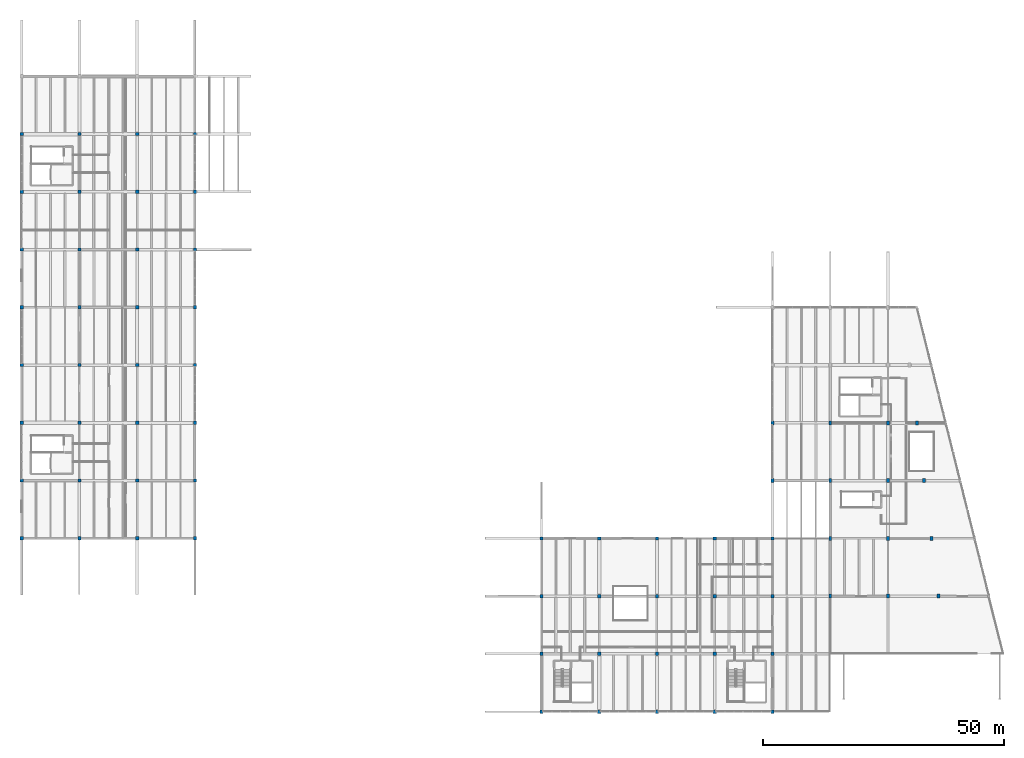
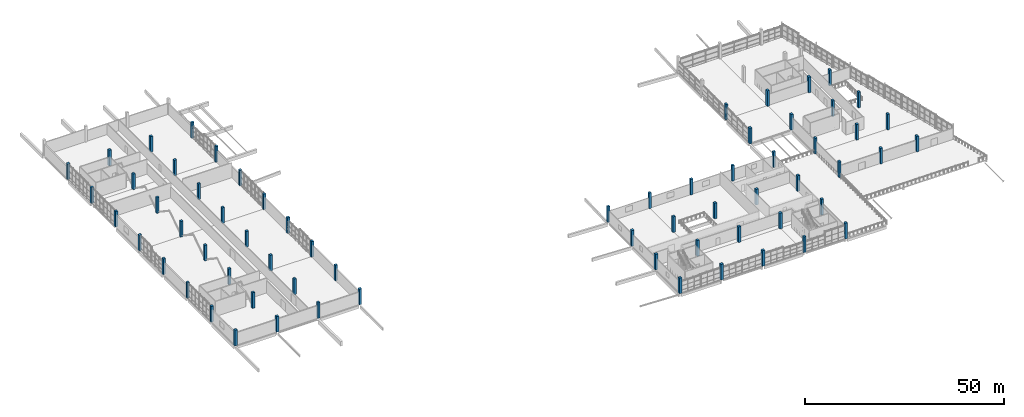
# One storey, part 1 of 49: 66 columns.
"""IFC4 building model written with IfcOpenShell, lengths in metres."""

from ifc_helpers import new_model, si_unit, direction, frame, origin, origin_2d, place, context, subcontext, project, spatial, rectangle, extrude, material, material_profile, profile_set, type_object, element, save


model = new_model("IFC4")

# Units and contexts
model_context = context("Model", 3, precision=1e-05, world=origin(), true_north=direction((0.0, 1.0)))
body_context = subcontext(model_context, "Body", "Model", "MODEL_VIEW")
ifc_project = project(units=[si_unit("LENGTHUNIT", "METRE"), si_unit("AREAUNIT", "SQUARE_METRE"), si_unit("VOLUMEUNIT", "CUBIC_METRE"), si_unit("PLANEANGLEUNIT", "RADIAN"), si_unit("MASSUNIT", "GRAM", prefix="KILO")], contexts=[model_context])

# Site, building, storey
site_placement = place(None, origin())
site = spatial("IfcSite", under=ifc_project, at=site_placement, CompositionType="ELEMENT")
building_placement = place(site_placement, origin())
building = spatial("IfcBuilding", under=site, at=building_placement, Name="Kamomehara Wholesale Market", CompositionType="ELEMENT")
storey_placement = place(building_placement, frame((0.0, 0.0, 11.39990234375)))
storey = spatial("IfcBuildingStorey", under=building, at=storey_placement, Name="L02", CompositionType="ELEMENT", Elevation=11.39990234375)

# Columns
ifc_material_1 = material(Name="Precast concrete Fc45 (C40/50)", Category="concrete")
ifc_material_profile_1 = material_profile(ifc_material_1, rectangle(XDim=0.64990234375, YDim=0.64990234375, at=origin_2d()), Name="PC-COL-650x650")
ifc_profile_set_1 = profile_set([ifc_material_profile_1], Name="Precast concrete Fc45 (C40/50)")
column_type_1 = type_object("IfcColumnType", Name="COL-PC650-EXT", PredefinedType="COLUMN", material=ifc_profile_set_1)
for number, where, z_axis, x_axis, name in (
    (1, (108.0, 48.0, 0.0), (0.0, 0.0, 1.0), (1.0, 0.0, 0.0), "Column C-06E L02"),
    (2, (120.0, 48.0, 0.0), (0.0, 0.0, 1.0), (1.0, 0.0, 0.0), "Column C-06E L02"),
    (3, (132.0, 48.0, 0.0), (0.0, 0.0, 1.0), (1.0, 0.0, 0.0), "Column C-06E L02"),
    (4, (144.0, 48.0, 0.0), (0.0, 0.0, 1.0), (1.0, 0.0, 0.0), "Column C-06E L02"),
    (5, (156.0, 48.0, 0.0), (0.0, 0.0, 1.0), (1.0, 0.0, 0.0), "Column C-06E L02"),
):
    element("IfcColumn", number, at=place(storey_placement, frame(where, z_axis=z_axis, x_axis=x_axis)), inside=storey, type_object=column_type_1, Name=name, PredefinedType="COLUMN", context=body_context, shape_type="SweptSolid", body=[
        extrude(rectangle(XDim=0.64990234375, YDim=0.64990234375, at=origin_2d()), origin(), (0.0, 0.0, 1.0), 4.800048828125),
    ])
ifc_material_2 = material(Name="Precast concrete Fc45 (C40/50)", Category="concrete")
ifc_material_profile_2 = material_profile(ifc_material_2, rectangle(XDim=0.679931640625, YDim=0.679931640625, at=origin_2d()), Name="PC-COL-680x680")
ifc_profile_set_2 = profile_set([ifc_material_profile_2], Name="Precast concrete Fc45 (C40/50)")
column_type_2 = type_object("IfcColumnType", Name="COL-PC680", PredefinedType="COLUMN", material=ifc_profile_set_2)
for number, where, z_axis, x_axis, name in (
    (6, (12.0, 72.0, 0.0), (0.0, 0.0, 1.0), (1.0, 0.0, 0.0), "Column C-15 L02"),
    (7, (12.0, 84.0, 0.0), (0.0, 0.0, 1.0), (1.0, 0.0, 0.0), "Column C-15 L02"),
    (8, (12.0, 120.0, 0.0), (0.0, 0.0, 1.0), (1.0, 0.0, 0.0), "Column C-15 L02"),
    (9, (12.0, 132.0, 0.0), (0.0, 0.0, 1.0), (1.0, 0.0, 0.0), "Column C-15 L02"),
    (10, (24.0, 72.0, 0.0), (0.0, 0.0, 1.0), (1.0, 0.0, 0.0), "Column C-15 L02"),
    (11, (24.0, 84.0, 0.0), (0.0, 0.0, 1.0), (1.0, 0.0, 0.0), "Column C-15 L02"),
    (12, (24.0, 120.0, 0.0), (0.0, 0.0, 1.0), (1.0, 0.0, 0.0), "Column C-15 L02"),
    (13, (24.0, 132.0, 0.0), (0.0, 0.0, 1.0), (1.0, 0.0, 0.0), "Column C-15 L02"),
):
    element("IfcColumn", number, at=place(storey_placement, frame(where, z_axis=z_axis, x_axis=x_axis)), inside=storey, type_object=column_type_2, Name=name, PredefinedType="COLUMN", context=body_context, shape_type="SweptSolid", body=[
        extrude(rectangle(XDim=0.679931640625, YDim=0.679931640625, at=origin_2d()), origin(), (0.0, 0.0, 1.0), 4.800048828125),
    ])
ifc_material_3 = material(Name="Precast concrete Fc45 (C40/50)", Category="concrete")
ifc_material_profile_3 = material_profile(ifc_material_3, rectangle(XDim=0.679931640625, YDim=0.679931640625, at=origin_2d()), Name="PC-COL-680x680")
ifc_profile_set_3 = profile_set([ifc_material_profile_3], Name="Precast concrete Fc45 (C40/50)")
column_type_3 = type_object("IfcColumnType", Name="COL-PC680-EXT", PredefinedType="COLUMN", material=ifc_profile_set_3)
for number, where, z_axis, x_axis, name in (
    (14, (0.0, 48.0, 0.0), (0.0, 0.0, 1.0), (1.0, 0.0, 0.0), "Column C-15E L02"),
    (15, (0.0, 60.0, 0.0), (0.0, 0.0, 1.0), (1.0, 0.0, 0.0), "Column C-15E L02"),
    (16, (0.0, 72.0, 0.0), (0.0, 0.0, 1.0), (1.0, 0.0, 0.0), "Column C-15E L02"),
    (17, (0.0, 84.0, 0.0), (0.0, 0.0, 1.0), (1.0, 0.0, 0.0), "Column C-15E L02"),
    (18, (0.0, 96.0, 0.0), (0.0, 0.0, 1.0), (1.0, 0.0, 0.0), "Column C-15E L02"),
    (19, (0.0, 108.0, 0.0), (0.0, 0.0, 1.0), (1.0, 0.0, 0.0), "Column C-15E L02"),
    (20, (0.0, 120.0, 0.0), (0.0, 0.0, 1.0), (1.0, 0.0, 0.0), "Column C-15E L02"),
    (21, (0.0, 132.0, 0.0), (0.0, 0.0, 1.0), (1.0, 0.0, 0.0), "Column C-15E L02"),
    (22, (12.0, 48.0, 0.0), (0.0, 0.0, 1.0), (1.0, 0.0, 0.0), "Column C-15E L02"),
    (23, (12.0, 60.0, 0.0), (0.0, 0.0, 1.0), (1.0, 0.0, 0.0), "Column C-15E L02"),
    (24, (12.0, 96.0, 0.0), (0.0, 0.0, 1.0), (1.0, 0.0, 0.0), "Column C-15E L02"),
    (25, (12.0, 108.0, 0.0), (0.0, 0.0, 1.0), (1.0, 0.0, 0.0), "Column C-15E L02"),
    (26, (24.0, 48.0, 0.0), (0.0, 0.0, 1.0), (1.0, 0.0, 0.0), "Column C-15E L02"),
    (27, (24.0, 60.0, 0.0), (0.0, 0.0, 1.0), (1.0, 0.0, 0.0), "Column C-15E L02"),
    (28, (24.0, 96.0, 0.0), (0.0, 0.0, 1.0), (1.0, 0.0, 0.0), "Column C-15E L02"),
    (29, (24.0, 108.0, 0.0), (0.0, 0.0, 1.0), (1.0, 0.0, 0.0), "Column C-15E L02"),
    (30, (36.0, 48.0, 0.0), (0.0, 0.0, 1.0), (1.0, 0.0, 0.0), "Column C-15E L02"),
    (31, (36.0, 60.0, 0.0), (0.0, 0.0, 1.0), (1.0, 0.0, 0.0), "Column C-15E L02"),
    (32, (36.0, 72.0, 0.0), (0.0, 0.0, 1.0), (1.0, 0.0, 0.0), "Column C-15E L02"),
    (33, (36.0, 84.0, 0.0), (0.0, 0.0, 1.0), (1.0, 0.0, 0.0), "Column C-15E L02"),
    (34, (36.0, 96.0, 0.0), (0.0, 0.0, 1.0), (1.0, 0.0, 0.0), "Column C-15E L02"),
    (35, (36.0, 108.0, 0.0), (0.0, 0.0, 1.0), (1.0, 0.0, 0.0), "Column C-15E L02"),
    (36, (36.0, 120.0, 0.0), (0.0, 0.0, 1.0), (1.0, 0.0, 0.0), "Column C-15E L02"),
    (37, (36.0, 132.0, 0.0), (0.0, 0.0, 1.0), (1.0, 0.0, 0.0), "Column C-15E L02"),
):
    element("IfcColumn", number, at=place(storey_placement, frame(where, z_axis=z_axis, x_axis=x_axis)), inside=storey, type_object=column_type_3, Name=name, PredefinedType="COLUMN", context=body_context, shape_type="SweptSolid", body=[
        extrude(rectangle(XDim=0.679931640625, YDim=0.679931640625, at=origin_2d()), origin(), (0.0, 0.0, 1.0), 4.800048828125),
    ])
ifc_material_4 = material(Name="Precast concrete Fc45 (C40/50)", Category="concrete")
ifc_material_profile_4 = material_profile(ifc_material_4, rectangle(XDim=0.699951171875, YDim=0.699951171875, at=origin_2d()), Name="PC-COL-700x700")
ifc_profile_set_4 = profile_set([ifc_material_profile_4], Name="Precast concrete Fc45 (C40/50)")
column_type_4 = type_object("IfcColumnType", Name="COL-PC700-EXT", PredefinedType="COLUMN", material=ifc_profile_set_4)
for number, where, z_axis, x_axis, name in (
    (38, (108.0, 12.0, 0.0), (0.0, 0.0, 1.0), (1.0, 0.0, 0.0), "Column C-05E L02"),
    (39, (108.0, 24.0, 0.0), (0.0, 0.0, 1.0), (1.0, 0.0, 0.0), "Column C-05E L02"),
    (40, (108.0, 36.0, 0.0), (0.0, 0.0, 1.0), (1.0, 0.0, 0.0), "Column C-05E L02"),
    (41, (120.0, 12.0, 0.0), (0.0, 0.0, 1.0), (1.0, 0.0, 0.0), "Column C-05E L02"),
    (42, (120.0, 24.0, 0.0), (0.0, 0.0, 1.0), (1.0, 0.0, 0.0), "Column C-05E L02"),
    (43, (120.0, 36.0, 0.0), (0.0, 0.0, 1.0), (1.0, 0.0, 0.0), "Column C-05E L02"),
    (44, (132.0, 12.0, 0.0), (0.0, 0.0, 1.0), (1.0, 0.0, 0.0), "Column C-05E L02"),
    (45, (132.0, 24.0, 0.0), (0.0, 0.0, 1.0), (1.0, 0.0, 0.0), "Column C-05E L02"),
    (46, (132.0, 36.0, 0.0), (0.0, 0.0, 1.0), (1.0, 0.0, 0.0), "Column C-05E L02"),
    (47, (144.0, 12.0, 0.0), (0.0, 0.0, 1.0), (1.0, 0.0, 0.0), "Column C-05E L02"),
    (48, (144.0, 24.0, 0.0), (0.0, 0.0, 1.0), (1.0, 0.0, 0.0), "Column C-05E L02"),
    (49, (144.0, 36.0, 0.0), (0.0, 0.0, 1.0), (1.0, 0.0, 0.0), "Column C-05E L02"),
    (50, (156.0, 12.0, 0.0), (0.0, 0.0, 1.0), (1.0, 0.0, 0.0), "Column C-05E L02"),
    (51, (156.0, 24.0, 0.0), (0.0, 0.0, 1.0), (1.0, 0.0, 0.0), "Column C-05E L02"),
    (52, (156.0, 36.0, 0.0), (0.0, 0.0, 1.0), (1.0, 0.0, 0.0), "Column C-05E L02"),
):
    element("IfcColumn", number, at=place(storey_placement, frame(where, z_axis=z_axis, x_axis=x_axis)), inside=storey, type_object=column_type_4, Name=name, PredefinedType="COLUMN", context=body_context, shape_type="SweptSolid", body=[
        extrude(rectangle(XDim=0.699951171875, YDim=0.699951171875, at=origin_2d()), origin(), (0.0, 0.0, 1.0), 4.800048828125),
    ])
ifc_material_5 = material(Name="Precast concrete Fc45 (C40/50)", Category="concrete")
ifc_material_profile_5 = material_profile(ifc_material_5, rectangle(XDim=0.60009765625, YDim=0.800048828125, at=origin_2d()), Name="PC-COL-600x800")
ifc_profile_set_5 = profile_set([ifc_material_profile_5], Name="Precast concrete Fc45 (C40/50)")
column_type_5 = type_object("IfcColumnType", Name="COL-PCR800", PredefinedType="COLUMN", material=ifc_profile_set_5)
for number, where, z_axis, x_axis, name in (
    (53, (180.0, 72.0, 0.0), (0.0, 0.0, 1.0), (1.0, 0.0, 0.0), "Column C-09 L02"),
    (54, (186.0, 72.0, 0.0), (0.0, 0.0, 1.0), (1.0, 0.0, 0.0), "Column C-09 L02"),
):
    element("IfcColumn", number, at=place(storey_placement, frame(where, z_axis=z_axis, x_axis=x_axis)), inside=storey, type_object=column_type_5, Name=name, PredefinedType="COLUMN", context=body_context, shape_type="SweptSolid", body=[
        extrude(rectangle(XDim=0.60009765625, YDim=0.800048828125, at=origin_2d()), origin(), (0.0, 0.0, 1.0), 4.800048828125),
    ])
ifc_material_6 = material(Name="Precast concrete Fc45 (C40/50)", Category="concrete")
ifc_material_profile_6 = material_profile(ifc_material_6, rectangle(XDim=0.60009765625, YDim=0.800048828125, at=origin_2d()), Name="PC-COL-600x800")
ifc_profile_set_6 = profile_set([ifc_material_profile_6], Name="Precast concrete Fc45 (C40/50)")
column_type_6 = type_object("IfcColumnType", Name="COL-PCR800-EXT", PredefinedType="COLUMN", material=ifc_profile_set_6)
for number, where, z_axis, x_axis, name in (
    (55, (156.0, 60.0, 0.0), (0.0, 0.0, 1.0), (1.0, 0.0, 0.0), "Column C-09E L02"),
    (56, (156.0, 72.0, 0.0), (0.0, 0.0, 1.0), (1.0, 0.0, 0.0), "Column C-09E L02"),
    (57, (168.0, 36.0, 0.0), (0.0, 0.0, 1.0), (1.0, 0.0, 0.0), "Column C-09E L02"),
    (58, (168.0, 48.0, 0.0), (0.0, 0.0, 1.0), (1.0, 0.0, 0.0), "Column C-09E L02"),
    (59, (168.0, 60.0, 0.0), (0.0, 0.0, 1.0), (1.0, 0.0, 0.0), "Column C-09E L02"),
    (60, (168.0, 72.0, 0.0), (0.0, 0.0, 1.0), (1.0, 0.0, 0.0), "Column C-09E L02"),
    (61, (180.0, 36.0, 0.0), (0.0, 0.0, 1.0), (1.0, 0.0, 0.0), "Column C-09E L02"),
    (62, (180.0, 48.0, 0.0), (0.0, 0.0, 1.0), (1.0, 0.0, 0.0), "Column C-09E L02"),
    (63, (180.0, 60.0, 0.0), (0.0, 0.0, 1.0), (1.0, 0.0, 0.0), "Column C-09E L02"),
    (64, (187.5, 60.0, 0.0), (0.0, 0.0, 1.0), (1.0, 0.0, 0.0), "Column C-09E L02"),
    (65, (189.0, 48.0, 0.0), (0.0, 0.0, 1.0), (1.0, 0.0, 0.0), "Column C-09E L02"),
    (66, (190.5, 36.0, 0.0), (0.0, 0.0, 1.0), (1.0, 0.0, 0.0), "Column C-09E L02"),
):
    element("IfcColumn", number, at=place(storey_placement, frame(where, z_axis=z_axis, x_axis=x_axis)), inside=storey, type_object=column_type_6, Name=name, PredefinedType="COLUMN", context=body_context, shape_type="SweptSolid", body=[
        extrude(rectangle(XDim=0.60009765625, YDim=0.800048828125, at=origin_2d()), origin(), (0.0, 0.0, 1.0), 4.800048828125),
    ])

save(model, "model.ifc")
